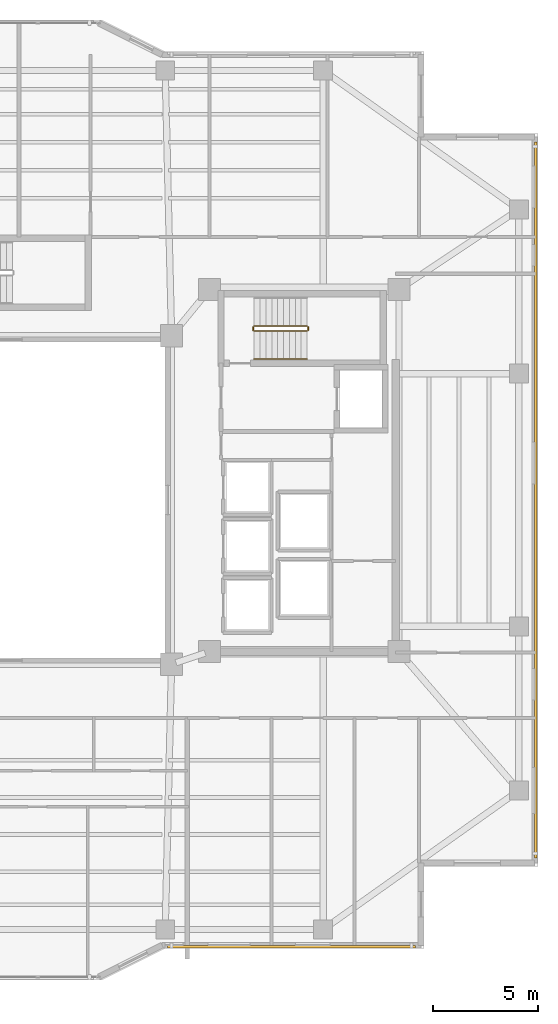
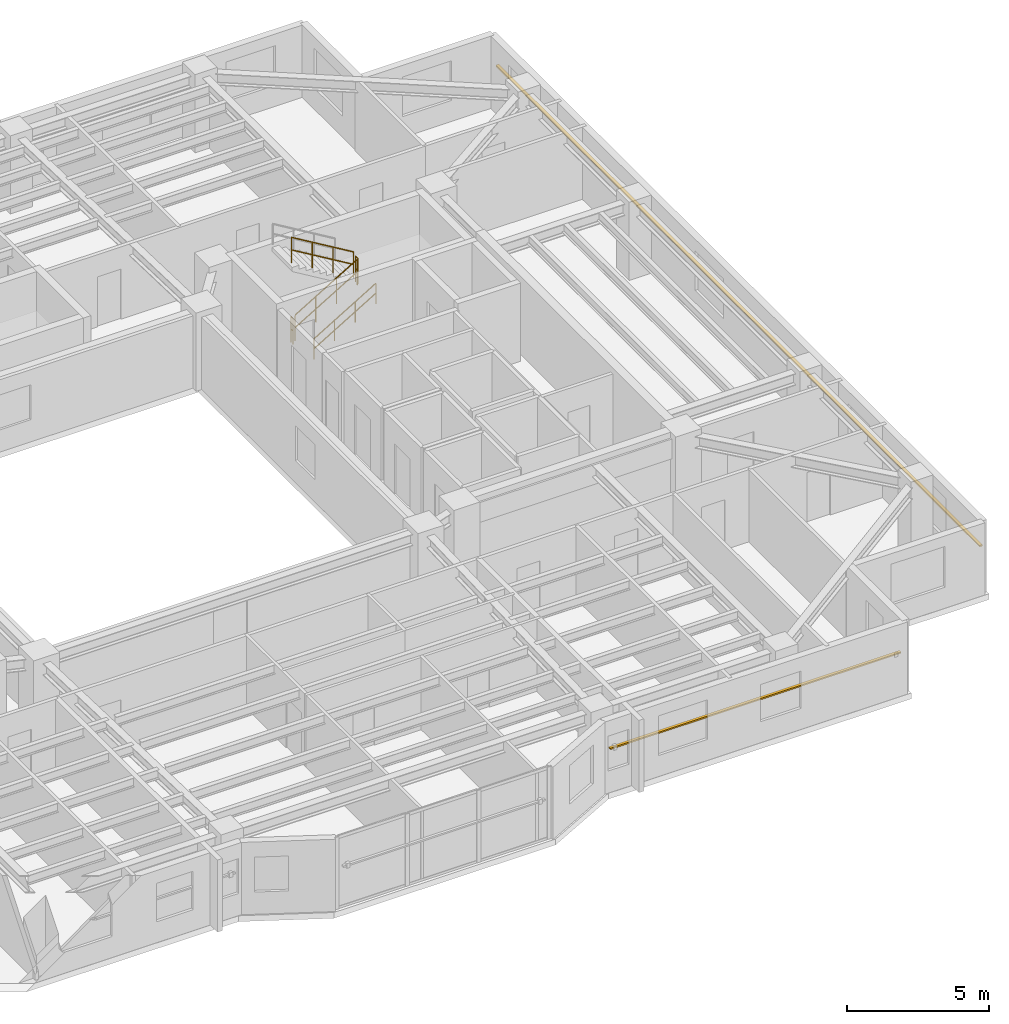
# One storey, part 14 of 15: 5 railings, 2 shading devices.
"""IFC4 building model written with IfcOpenShell, lengths in metres."""

from ifc_helpers import new_model, si_unit, direction, frame, origin, origin_2d, place, context, subcontext, project, spatial, rectangle, circle, extrude, material, material_profile, profile_set, type_object, element, save


model = new_model("IFC4")

# Units and contexts
model_context = context("Model", 3, precision=1e-05, world=origin(), true_north=direction((0.0, 1.0)))
body_context = subcontext(model_context, "Body", "Model", "MODEL_VIEW")
ifc_project = project(units=[si_unit("LENGTHUNIT", "METRE"), si_unit("AREAUNIT", "SQUARE_METRE"), si_unit("VOLUMEUNIT", "CUBIC_METRE"), si_unit("PLANEANGLEUNIT", "RADIAN"), si_unit("MASSUNIT", "GRAM", prefix="KILO")], contexts=[model_context])

# Site, building, storey
site_placement = place(None, origin())
site = spatial("IfcSite", under=ifc_project, at=site_placement, CompositionType="ELEMENT")
building_placement = place(site_placement, origin())
building = spatial("IfcBuilding", under=site, at=building_placement, Name="Tarnavaz Court Tower", CompositionType="ELEMENT")
storey_placement = place(building_placement, frame((0.0, 0.0, 139.300048828125)))
storey = spatial("IfcBuildingStorey", under=building, at=storey_placement, Name="L37", CompositionType="ELEMENT", Elevation=139.300048828125)

# Railings
ifc_material_1 = material(Name="Brushed Stainless Steel", Category="steel")
railing_type_1 = type_object("IfcRailingType", Name="RL-HANDRAIL-900", PredefinedType="HANDRAIL", material=ifc_material_1)
railing_1_placement = place(storey_placement, frame((11.719970703125, 6.699951171875, 0.16748046875)))
element("IfcRailing", 1, at=railing_1_placement, inside=storey, type_object=railing_type_1, Name="L37 ST-E1 stair handrail 1", PredefinedType="HANDRAIL", context=body_context, shape_type="SweptSolid", body=[
    extrude(circle(Radius=0.02392578125, at=origin_2d()), frame((0.0, 0.0, 0.8759765625), z_axis=(0.858159760407, 0.0, 0.513382728203), x_axis=(0.0, 1.0, 0.0)), (0.0, 0.0, 1.0), 2.9365234375),
    extrude(circle(Radius=0.02392578125, at=origin_2d()), frame((0.0, 0.0, 0.449951171875), z_axis=(0.858159760407, 0.0, 0.513382728203), x_axis=(0.0, 1.0, 0.0)), (0.0, 0.0, 1.0), 2.9365234375),
    extrude(circle(Radius=0.02099609375, at=origin_2d()), origin(), (0.0, 0.0, 1.0), 0.851806640625),
    extrude(circle(Radius=0.02099609375, at=origin_2d()), frame((0.840087890625, 0.0, 0.50244140625)), (0.0, 0.0, 1.0), 0.851806640625),
    extrude(circle(Radius=0.02099609375, at=origin_2d()), frame((1.679931640625, 0.0, 1.005126953125)), (0.0, 0.0, 1.0), 0.851806640625),
    extrude(circle(Radius=0.02099609375, at=origin_2d()), frame((2.52001953125, 0.0, 1.507568359375)), (0.0, 0.0, 1.0), 0.851806640625),
])
ifc_material_2 = material(Name="Galvanized Painted Tubular Steel", Category="steel")
railing_type_2 = type_object("IfcRailingType", Name="RL-STGUARD-1120", PredefinedType="GUARDRAIL", material=ifc_material_2)
railing_2_placement = place(storey_placement, frame((11.719970703125, 8.02001953125, 0.16748046875)))
element("IfcRailing", 2, at=railing_2_placement, inside=storey, type_object=railing_type_2, Name="L37 ST-E1 stair guard 1", PredefinedType="GUARDRAIL", context=body_context, shape_type="SweptSolid", body=[
    extrude(circle(Radius=0.02392578125, at=origin_2d()), frame((0.0, 0.0, 1.09619140625), z_axis=(0.858159760407, 0.0, 0.513382728203), x_axis=(0.0, 1.0, 0.0)), (0.0, 0.0, 1.0), 2.9365234375),
    extrude(circle(Radius=0.02392578125, at=origin_2d()), frame((0.0, 0.0, 0.56005859375), z_axis=(0.858159760407, 0.0, 0.513382728203), x_axis=(0.0, 1.0, 0.0)), (0.0, 0.0, 1.0), 2.9365234375),
    extrude(circle(Radius=0.02099609375, at=origin_2d()), origin(), (0.0, 0.0, 1.0), 1.072021484375),
    extrude(circle(Radius=0.02099609375, at=origin_2d()), frame((0.840087890625, 0.0, 0.50244140625)), (0.0, 0.0, 1.0), 1.072021484375),
    extrude(circle(Radius=0.02099609375, at=origin_2d()), frame((1.679931640625, 0.0, 1.005126953125)), (0.0, 0.0, 1.0), 1.072021484375),
    extrude(circle(Radius=0.02099609375, at=origin_2d()), frame((2.52001953125, 0.0, 1.507568359375)), (0.0, 0.0, 1.0), 1.072021484375),
])
railing_3_placement = place(storey_placement, frame((14.2900390625, 8.070068359375, 1.675048828125)))
element("IfcRailing", 3, at=railing_3_placement, inside=storey, type_object=railing_type_2, Name="L37 ST-E1 stair guard 2", PredefinedType="GUARDRAIL", context=body_context, shape_type="SweptSolid", body=[
    extrude(circle(Radius=0.02392578125, at=origin_2d()), frame((0.0, 0.0, 1.09619140625), z_axis=(0.0, 1.0, 0.0), x_axis=(-1.0, 0.0, 0.0)), (0.0, 0.0, 1.0), 0.14990234375),
    extrude(circle(Radius=0.02392578125, at=origin_2d()), frame((0.0, 0.0, 0.56005859375), z_axis=(0.0, 1.0, 0.0), x_axis=(-1.0, 0.0, 0.0)), (0.0, 0.0, 1.0), 0.14990234375),
    extrude(circle(Radius=0.02099609375, at=origin_2d()), origin(), (0.0, 0.0, 1.0), 1.072021484375),
    extrude(circle(Radius=0.02099609375, at=origin_2d()), frame((0.0, 0.14990234375, 0.0)), (0.0, 0.0, 1.0), 1.072021484375),
])
railing_4_placement = place(storey_placement, frame((14.239990234375, 8.27001953125, 1.842529296875)))
element("IfcRailing", 4, at=railing_4_placement, inside=storey, type_object=railing_type_2, Name="L37 ST-E1 stair guard 3", PredefinedType="GUARDRAIL", context=body_context, shape_type="SweptSolid", body=[
    extrude(circle(Radius=0.02392578125, at=origin_2d()), frame((0.0, 0.0, 1.09619140625), z_axis=(-0.858196387827, 0.0, 0.513321497621), x_axis=(0.0, -1.0, 0.0)), (0.0, 0.0, 1.0), 2.9365234375),
    extrude(circle(Radius=0.02392578125, at=origin_2d()), frame((0.0, 0.0, 0.56005859375), z_axis=(-0.858196387827, 0.0, 0.513321497621), x_axis=(0.0, -1.0, 0.0)), (0.0, 0.0, 1.0), 2.9365234375),
    extrude(circle(Radius=0.02099609375, at=origin_2d()), origin(), (0.0, 0.0, 1.0), 1.072021484375),
    extrude(circle(Radius=0.02099609375, at=origin_2d()), frame((-0.840087890625, 0.0, 0.50244140625)), (0.0, 0.0, 1.0), 1.072021484375),
    extrude(circle(Radius=0.02099609375, at=origin_2d()), frame((-1.679931640625, 0.0, 1.0048828125)), (0.0, 0.0, 1.0), 1.072021484375),
    extrude(circle(Radius=0.02099609375, at=origin_2d()), frame((-2.52001953125, 0.0, 1.50732421875)), (0.0, 0.0, 1.0), 1.072021484375),
])
railing_5_placement = place(storey_placement, frame((11.669921875, 8.070068359375, 0.0)))
element("IfcRailing", 5, at=railing_5_placement, inside=storey, type_object=railing_type_2, Name="L37 ST-E1 stair guard 4", PredefinedType="GUARDRAIL", context=body_context, shape_type="SweptSolid", body=[
    extrude(circle(Radius=0.02392578125, at=origin_2d()), frame((0.0, 0.0, 1.09619140625), z_axis=(0.0, 1.0, 0.0), x_axis=(-1.0, 0.0, 0.0)), (0.0, 0.0, 1.0), 0.14990234375),
    extrude(circle(Radius=0.02392578125, at=origin_2d()), frame((0.0, 0.0, 0.56005859375), z_axis=(0.0, 1.0, 0.0), x_axis=(-1.0, 0.0, 0.0)), (0.0, 0.0, 1.0), 0.14990234375),
    extrude(circle(Radius=0.02099609375, at=origin_2d()), origin(), (0.0, 0.0, 1.0), 1.072021484375),
    extrude(circle(Radius=0.02099609375, at=origin_2d()), frame((0.0, 0.14990234375, 0.0)), (0.0, 0.0, 1.0), 1.072021484375),
])

# Shading devices
ifc_material_3 = material(Name="Kiln-Fired Khorasan Terracotta Ceramic", Category="masonry")
ifc_material_profile = material_profile(ifc_material_3, rectangle(XDim=0.1201171875, YDim=0.06005859375, at=origin_2d()), Name="TC BAGUETTE 120X60")
ifc_profile_set = profile_set([ifc_material_profile], Name="Kiln-Fired Khorasan Terracotta Ceramic")
shading_device_type = type_object("IfcShadingDeviceType", Name="SD-BAG-120", PredefinedType="USERDEFINED", material=ifc_profile_set)
shading_device_1_placement = place(storey_placement, frame((25.110107421875, 17.0, 1.849853515625), z_axis=(0.0, -1.0, 0.0), x_axis=(1.0, 0.0, 0.0)))
element("IfcShadingDevice", 6, at=shading_device_1_placement, inside=storey, type_object=shading_device_type, Name="L37 Terracotta Baguette Screen FBG12", ObjectType="BAGUETTE", PredefinedType="USERDEFINED", context=body_context, shape_type="SweptSolid", body=[
    extrude(rectangle(XDim=0.1201171875, YDim=0.06005859375, at=origin_2d()), origin(), (0.0, 0.0, 1.0), 34.0),
])
shading_device_2_placement = place(storey_placement, frame((19.39990234375, -21.2099609375, 1.849853515625), z_axis=(-1.0, 0.0, 0.0), x_axis=(0.0, -1.0, 0.0)))
element("IfcShadingDevice", 7, at=shading_device_2_placement, inside=storey, type_object=shading_device_type, Name="L37 Terracotta Baguette Screen FBG15", ObjectType="BAGUETTE", PredefinedType="USERDEFINED", context=body_context, shape_type="SweptSolid", body=[
    extrude(rectangle(XDim=0.1201171875, YDim=0.06005859375, at=origin_2d()), origin(), (0.0, 0.0, 1.0), 11.7998046875),
])

save(model, "model.ifc")
